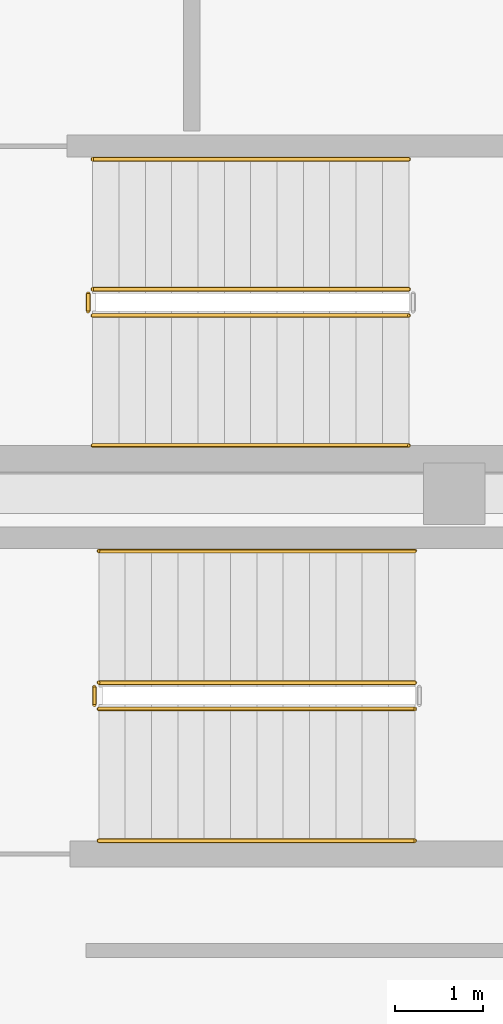
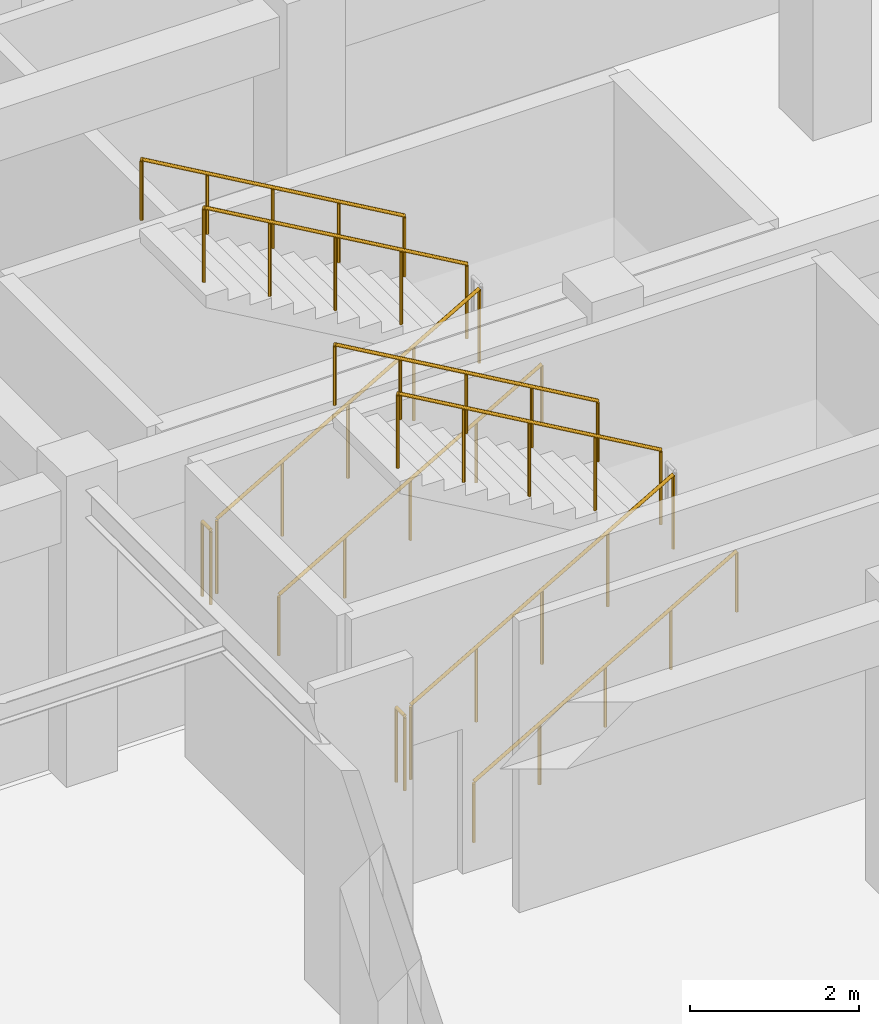
# One storey, part 102 of 106: 10 railings.
"""IFC4 building model written with IfcOpenShell, lengths in metres."""

import ifcopenshell
import ifcopenshell.guid

model = None  # the IFC model being written
_history = None  # IfcOwnerHistory: only IFC2X3 demands one
_inside = {}  # id of a spatial element -> (the spatial element, [elements in it])
_under = {}  # id of a project, library or spatial element -> (it, [spatial elements below it])
_declared = {}  # id of a project -> (the project, [libraries it declares])
_typed = {}  # id of a type object -> (the type object, [elements of that type])
_made_of = {}  # id of a material, layer set ... -> (it, [elements and type objects made of it])


def new_model(schema):
    """Start an empty IFC model of exactly this schema.

    Asked for "IFC4X3", IfcOpenShell would pick the latest addendum, in which some entities
    have other attributes; the version numbers below select the first issue.
    IFC2X3 requires an IfcOwnerHistory on every rooted entity: one is made here for all.
    """
    global model, _history
    if schema == "IFC4X3":
        model = ifcopenshell.file(schema_version=(4, 3, 0, 0))
    else:
        model = ifcopenshell.file(schema=schema)
    _inside.clear()
    _under.clear()
    _declared.clear()
    _typed.clear()
    _made_of.clear()
    _history = None
    if model.schema == "IFC2X3":
        org = make("IfcOrganization", Name="unknown")
        user = make(
            "IfcPersonAndOrganization",
            ThePerson=make("IfcPerson", FamilyName="unknown"),
            TheOrganization=org,
        )
        app = make(
            "IfcApplication",
            ApplicationDeveloper=org,
            Version="unknown",
            ApplicationFullName="unknown",
            ApplicationIdentifier="unknown",
        )
        _history = make(
            "IfcOwnerHistory",
            OwningUser=user,
            OwningApplication=app,
            ChangeAction="ADDED",
            CreationDate=0,
        )
    return model


def make(cls, **values):
    """One entity of the class cls with the attributes given. An attribute that is None is left unset."""
    return model.create_entity(
        cls, **{name: value for name, value in values.items() if value is not None}
    )


def rooted(cls, **values):
    """An entity with a GlobalId (a new one), such as an element, a storey or a relation."""
    return make(cls, GlobalId=ifcopenshell.guid.new(), OwnerHistory=_history, **values)


def si_unit(unit_type, name, prefix=None):
    """IfcSIUnit, for example si_unit("LENGTHUNIT", "METRE", prefix="MILLI")."""
    return make("IfcSIUnit", UnitType=unit_type, Prefix=prefix, Name=name)


def assignment(units):
    """IfcUnitAssignment: the units of a project."""
    return None if units is None else make("IfcUnitAssignment", Units=units)


def point(xyz):
    """IfcCartesianPoint."""
    return None if xyz is None else make("IfcCartesianPoint", Coordinates=xyz)


def direction(xyz):
    """IfcDirection."""
    return None if xyz is None else make("IfcDirection", DirectionRatios=xyz)


def frame(location, z_axis=None, x_axis=None):
    """IfcAxis2Placement3D, a coordinate frame: its origin and axes. An axis left out is left unset."""
    return make(
        "IfcAxis2Placement3D",
        Location=point(location),
        Axis=direction(z_axis),
        RefDirection=direction(x_axis),
    )


def frame_2d(location, x_axis=None):
    """IfcAxis2Placement2D, a coordinate frame in the plane: its origin and x axis."""
    return make(
        "IfcAxis2Placement2D", Location=point(location), RefDirection=direction(x_axis)
    )


def origin():
    """The frame at (0, 0, 0) with its axes left unset."""
    return frame((0.0, 0.0, 0.0))


def origin_2d():
    """The frame at (0, 0) in the plane with its x axis left unset."""
    return frame_2d((0.0, 0.0))


def place(relative_to, where):
    """IfcLocalPlacement: puts the frame where relative to a parent placement (None: the world)."""
    return make(
        "IfcLocalPlacement", PlacementRelTo=relative_to, RelativePlacement=where
    )


def context(
    kind, dimensions, precision=None, world=None, true_north=None, identifier=None
):
    """IfcGeometricRepresentationContext, for example the 3D "Model" context."""
    return make(
        "IfcGeometricRepresentationContext",
        ContextIdentifier=identifier,
        ContextType=kind,
        CoordinateSpaceDimension=dimensions,
        Precision=precision,
        WorldCoordinateSystem=world,
        TrueNorth=true_north,
    )


def subcontext(parent, identifier, kind, view, scale=None):
    """IfcGeometricRepresentationSubContext, for example "Body" below "Model"."""
    return make(
        "IfcGeometricRepresentationSubContext",
        ContextIdentifier=identifier,
        ContextType=kind,
        ParentContext=parent,
        TargetScale=scale,
        TargetView=view,
    )


def project(units=None, contexts=None):
    """IfcProject with its units and contexts."""
    return rooted(
        "IfcProject",
        Name="project",
        RepresentationContexts=contexts,
        UnitsInContext=assignment(units),
    )


def spatial(cls, under=None, at=None, **own):
    """A site, building, storey or space (cls), placed at a placement, below another one or the project."""
    s = rooted(cls, ObjectPlacement=at, **own)
    if under is not None:
        _under.setdefault(under.id(), (under, []))[1].append(s)
    return s


def profile(cls, at=None, kind="AREA", **sizes):
    """A parametric profile (cls). Its sizes go by their IFC names, for example OverallWidth=200.0."""
    return make(cls, ProfileType=kind, Position=at, **sizes)


def circle(**sizes):
    """IfcCircleProfileDef."""
    return profile("IfcCircleProfileDef", **sizes)


def extrude(swept, where, along, depth):
    """IfcExtrudedAreaSolid: the profile swept, set in the frame where, extruded along a direction by depth."""
    return make(
        "IfcExtrudedAreaSolid",
        SweptArea=swept,
        Position=where,
        ExtrudedDirection=direction(along),
        Depth=depth,
    )


def shape(context_of_items, identifier, shape_type, items):
    """IfcShapeRepresentation: the items that make up one representation, for example the "Body"."""
    return make(
        "IfcShapeRepresentation",
        ContextOfItems=context_of_items,
        RepresentationIdentifier=identifier,
        RepresentationType=shape_type,
        Items=items,
    )


def material(Name=None, Category=None):
    """IfcMaterial."""
    return make("IfcMaterial", Name=Name, Category=Category)


def layer(
    of_material, thickness, ventilated=None, Name=None, Category=None, Priority=None
):
    """IfcMaterialLayer: one layer of a wall or slab, of a material (None: an air gap)."""
    return make(
        "IfcMaterialLayer",
        Material=of_material,
        LayerThickness=thickness,
        IsVentilated=ventilated,
        Name=Name,
        Category=Category,
        Priority=Priority,
    )


def layer_set(layers, Name=None):
    """IfcMaterialLayerSet."""
    return make("IfcMaterialLayerSet", MaterialLayers=layers, LayerSetName=Name)


def made_of(thing, what):
    """Note that an element or type object is made of a material, layer set ...; save() writes the relation."""
    if what is not None:
        _made_of.setdefault(what.id(), (what, []))[1].append(thing)
    return thing


def type_object(cls, material=None, **own):
    """A type object (cls), such as IfcWallType, which elements share."""
    return made_of(rooted(cls, **own), material)


def element(
    cls,
    number,
    at=None,
    inside=None,
    cuts=None,
    type_object=None,
    material=None,
    context=None,
    identifier="Body",
    shape_type=None,
    held_by="IfcProductDefinitionShape",
    body=None,
    shapes=None,
    **own,
):
    """One element of the class cls, such as IfcWall. Its Tag is "e" and its number.

    at: its placement. inside: the storey or other place that contains it. cuts: it is an
    opening in that element (IfcRelVoidsElement). A single representation is given by context,
    identifier, shape_type and body (its items); several are given by shapes. held_by: the class
    of the entity that holds the representations. save() writes the other relations.
    """
    e = rooted(cls, Tag="e%d" % number, ObjectPlacement=at, **own)
    if body is not None:
        shapes = [shape(context, identifier, shape_type, body)]
    if shapes is not None:
        e.Representation = make(held_by, Representations=shapes)
    if inside is not None:
        _inside.setdefault(inside.id(), (inside, []))[1].append(e)
    if cuts is not None:
        rooted(
            "IfcRelVoidsElement", RelatingBuildingElement=cuts, RelatedOpeningElement=e
        )
    if type_object is not None:
        _typed.setdefault(type_object.id(), (type_object, []))[1].append(e)
    return made_of(e, material)


def aggregate(whole, parts):
    """IfcRelAggregates: a whole, such as a stair, and the parts it consists of."""
    return rooted("IfcRelAggregates", RelatingObject=whole, RelatedObjects=parts)


def save(model, path):
    """Write the relations noted so far, then the file.

    IfcRelAggregates (storeys below a building ...), IfcRelContainedInSpatialStructure (elements
    in a storey), IfcRelDefinesByType, IfcRelAssociatesMaterial and IfcRelDeclares: one each for
    every whole, place, type object, material and project.
    """
    for whole, parts in _under.values():
        aggregate(whole, parts)
    for where, things in _inside.values():
        rooted(
            "IfcRelContainedInSpatialStructure",
            RelatedElements=things,
            RelatingStructure=where,
        )
    for kind, things in _typed.values():
        rooted("IfcRelDefinesByType", RelatedObjects=things, RelatingType=kind)
    for what, things in _made_of.values():
        rooted("IfcRelAssociatesMaterial", RelatedObjects=things, RelatingMaterial=what)
    for by, libraries in _declared.values():
        rooted("IfcRelDeclares", RelatingContext=by, RelatedDefinitions=libraries)
    model.write(path)


model = new_model("IFC4")

# Units and contexts
model_context = context("Model", 3, precision=1e-05, world=origin(), true_north=direction((0.0, 1.0)))
body_context = subcontext(model_context, "Body", "Model", "MODEL_VIEW")
ifc_project = project(units=[si_unit("LENGTHUNIT", "METRE"), si_unit("AREAUNIT", "SQUARE_METRE"), si_unit("VOLUMEUNIT", "CUBIC_METRE"), si_unit("PLANEANGLEUNIT", "RADIAN"), si_unit("MASSUNIT", "GRAM", prefix="KILO")], contexts=[model_context])

# Site, building, storey
site_placement = place(None, origin())
site = spatial("IfcSite", under=ifc_project, at=site_placement, CompositionType="ELEMENT")
building_placement = place(site_placement, origin())
building = spatial("IfcBuilding", under=site, at=building_placement, Name="Carrowvane Square Congress Hotel", CompositionType="ELEMENT")
storey_placement = place(building_placement, frame((0.0, 0.0, 10.5)))
storey = spatial("IfcBuildingStorey", under=building, at=storey_placement, Name="L02", CompositionType="ELEMENT", Elevation=10.5)

# Railings
ifc_material_1 = material(Name="Stainless steel 316", Category="steel")
ifc_layer_1 = layer(ifc_material_1, 0.048095703125)
ifc_layer_set_1 = layer_set([ifc_layer_1], Name="Stainless steel 316")
railing_type_1 = type_object("IfcRailingType", Name="RLG-HR-900", PredefinedType="HANDRAIL", material=ifc_layer_set_1)
railing_1_placement = place(storey_placement, frame((137.14990234375, 87.85009765625, 0.173095703125)))
element("IfcRailing", 1, at=railing_1_placement, inside=storey, type_object=railing_type_1, Name="L02 ST8 stair handrail 1", PredefinedType="HANDRAIL", context=body_context, shape_type="SweptSolid", body=[
    extrude(circle(Radius=0.02392578125, at=origin_2d()), frame((0.0, 0.0, 0.8759765625), z_axis=(0.866193409371, 0.0, 0.499708892819), x_axis=(0.0, 1.0, 0.0)), (0.0, 0.0, 1.0), 4.15625),
    extrude(circle(Radius=0.02099609375, at=origin_2d()), origin(), (0.0, 0.0, 1.0), 0.851806640625),
    extrude(circle(Radius=0.02099609375, at=origin_2d()), frame((0.89990234375, 0.0, 0.519287109375)), (0.0, 0.0, 1.0), 0.851806640625),
    extrude(circle(Radius=0.02099609375, at=origin_2d()), frame((1.800048828125, 0.0, 1.03857421875)), (0.0, 0.0, 1.0), 0.851806640625),
    extrude(circle(Radius=0.02099609375, at=origin_2d()), frame((2.7001953125, 0.0, 1.5576171875)), (0.0, 0.0, 1.0), 0.851806640625),
    extrude(circle(Radius=0.02099609375, at=origin_2d()), frame((3.60009765625, 0.0, 2.076904296875)), (0.0, 0.0, 1.0), 0.851806640625),
])
railing_2_placement = place(storey_placement, frame((140.75, 91.14990234375, 2.423095703125)))
element("IfcRailing", 2, at=railing_2_placement, inside=storey, type_object=railing_type_1, Name="L02 ST8 stair handrail 2", PredefinedType="HANDRAIL", context=body_context, shape_type="SweptSolid", body=[
    extrude(circle(Radius=0.02392578125, at=origin_2d()), frame((0.0, 0.0, 0.8759765625), z_axis=(-0.866193409371, 0.0, 0.499708892819), x_axis=(0.0, -1.0, 0.0)), (0.0, 0.0, 1.0), 4.15625),
    extrude(circle(Radius=0.02099609375, at=origin_2d()), origin(), (0.0, 0.0, 1.0), 0.851806640625),
    extrude(circle(Radius=0.02099609375, at=origin_2d()), frame((-0.89990234375, 0.0, 0.519287109375)), (0.0, 0.0, 1.0), 0.851806640625),
    extrude(circle(Radius=0.02099609375, at=origin_2d()), frame((-1.800048828125, 0.0, 1.03857421875)), (0.0, 0.0, 1.0), 0.851806640625),
    extrude(circle(Radius=0.02099609375, at=origin_2d()), frame((-2.7001953125, 0.0, 1.5576171875)), (0.0, 0.0, 1.0), 0.851806640625),
    extrude(circle(Radius=0.02099609375, at=origin_2d()), frame((-3.60009765625, 0.0, 2.076904296875)), (0.0, 0.0, 1.0), 0.851806640625),
])
railing_3_placement = place(storey_placement, frame((137.080078125, 92.35009765625, 0.173095703125)))
element("IfcRailing", 3, at=railing_3_placement, inside=storey, type_object=railing_type_1, Name="L02 ST12 stair handrail 1", PredefinedType="HANDRAIL", context=body_context, shape_type="SweptSolid", body=[
    extrude(circle(Radius=0.02392578125, at=origin_2d()), frame((0.0, 0.0, 0.8759765625), z_axis=(0.866178740119, 0.0, 0.499734319579), x_axis=(0.0, 1.0, 0.0)), (0.0, 0.0, 1.0), 4.156005859375),
    extrude(circle(Radius=0.02099609375, at=origin_2d()), origin(), (0.0, 0.0, 1.0), 0.851806640625),
    extrude(circle(Radius=0.02099609375, at=origin_2d()), frame((0.89990234375, 0.0, 0.519287109375)), (0.0, 0.0, 1.0), 0.851806640625),
    extrude(circle(Radius=0.02099609375, at=origin_2d()), frame((1.7998046875, 0.0, 1.03857421875)), (0.0, 0.0, 1.0), 0.851806640625),
    extrude(circle(Radius=0.02099609375, at=origin_2d()), frame((2.699951171875, 0.0, 1.5576171875)), (0.0, 0.0, 1.0), 0.851806640625),
    extrude(circle(Radius=0.02099609375, at=origin_2d()), frame((3.599853515625, 0.0, 2.076904296875)), (0.0, 0.0, 1.0), 0.851806640625),
])
railing_4_placement = place(storey_placement, frame((140.679931640625, 95.610107421875, 2.423095703125)))
element("IfcRailing", 4, at=railing_4_placement, inside=storey, type_object=railing_type_1, Name="L02 ST12 stair handrail 2", PredefinedType="HANDRAIL", context=body_context, shape_type="SweptSolid", body=[
    extrude(circle(Radius=0.02392578125, at=origin_2d()), frame((0.0, 0.0, 0.8759765625), z_axis=(-0.866178740119, 0.0, 0.499734319579), x_axis=(0.0, -1.0, 0.0)), (0.0, 0.0, 1.0), 4.156005859375),
    extrude(circle(Radius=0.02099609375, at=origin_2d()), origin(), (0.0, 0.0, 1.0), 0.851806640625),
    extrude(circle(Radius=0.02099609375, at=origin_2d()), frame((-0.89990234375, 0.0, 0.519287109375)), (0.0, 0.0, 1.0), 0.851806640625),
    extrude(circle(Radius=0.02099609375, at=origin_2d()), frame((-1.7998046875, 0.0, 1.03857421875)), (0.0, 0.0, 1.0), 0.851806640625),
    extrude(circle(Radius=0.02099609375, at=origin_2d()), frame((-2.699951171875, 0.0, 1.5576171875)), (0.0, 0.0, 1.0), 0.851806640625),
    extrude(circle(Radius=0.02099609375, at=origin_2d()), frame((-3.599853515625, 0.0, 2.076904296875)), (0.0, 0.0, 1.0), 0.851806640625),
])
ifc_material_2 = material(Name="Galvanised steel", Category="steel")
ifc_layer_2 = layer(ifc_material_2, 0.048095703125)
ifc_layer_set_2 = layer_set([ifc_layer_2], Name="Galvanised steel")
railing_type_2 = type_object("IfcRailingType", Name="RLG-STG-1100", PredefinedType="GUARDRAIL", material=ifc_layer_set_2)
railing_5_placement = place(storey_placement, frame((137.14990234375, 89.35009765625, 0.173095703125)))
element("IfcRailing", 5, at=railing_5_placement, inside=storey, type_object=railing_type_2, Name="L02 ST8 stair guard 1", PredefinedType="GUARDRAIL", context=body_context, shape_type="SweptSolid", body=[
    extrude(circle(Radius=0.02392578125, at=origin_2d()), frame((0.0, 0.0, 1.076171875), z_axis=(0.866193409371, 0.0, 0.499708892819), x_axis=(0.0, 1.0, 0.0)), (0.0, 0.0, 1.0), 4.15625),
    extrude(circle(Radius=0.02099609375, at=origin_2d()), origin(), (0.0, 0.0, 1.0), 1.052001953125),
    extrude(circle(Radius=0.02099609375, at=origin_2d()), frame((0.89990234375, 0.0, 0.519287109375)), (0.0, 0.0, 1.0), 1.052001953125),
    extrude(circle(Radius=0.02099609375, at=origin_2d()), frame((1.800048828125, 0.0, 1.03857421875)), (0.0, 0.0, 1.0), 1.052001953125),
    extrude(circle(Radius=0.02099609375, at=origin_2d()), frame((2.7001953125, 0.0, 1.5576171875)), (0.0, 0.0, 1.0), 1.052001953125),
    extrude(circle(Radius=0.02099609375, at=origin_2d()), frame((3.60009765625, 0.0, 2.076904296875)), (0.0, 0.0, 1.0), 1.052001953125),
])
railing_6_placement = place(storey_placement, frame((140.75, 89.64990234375, 2.423095703125)))
element("IfcRailing", 6, at=railing_6_placement, inside=storey, type_object=railing_type_2, Name="L02 ST8 stair guard 3", PredefinedType="GUARDRAIL", context=body_context, shape_type="SweptSolid", body=[
    extrude(circle(Radius=0.02392578125, at=origin_2d()), frame((0.0, 0.0, 1.076171875), z_axis=(-0.866193409371, 0.0, 0.499708892819), x_axis=(0.0, -1.0, 0.0)), (0.0, 0.0, 1.0), 4.15625),
    extrude(circle(Radius=0.02099609375, at=origin_2d()), origin(), (0.0, 0.0, 1.0), 1.052001953125),
    extrude(circle(Radius=0.02099609375, at=origin_2d()), frame((-0.89990234375, 0.0, 0.519287109375)), (0.0, 0.0, 1.0), 1.052001953125),
    extrude(circle(Radius=0.02099609375, at=origin_2d()), frame((-1.800048828125, 0.0, 1.03857421875)), (0.0, 0.0, 1.0), 1.052001953125),
    extrude(circle(Radius=0.02099609375, at=origin_2d()), frame((-2.7001953125, 0.0, 1.5576171875)), (0.0, 0.0, 1.0), 1.052001953125),
    extrude(circle(Radius=0.02099609375, at=origin_2d()), frame((-3.60009765625, 0.0, 2.076904296875)), (0.0, 0.0, 1.0), 1.052001953125),
])
railing_7_placement = place(storey_placement, frame((137.10009765625, 89.39990234375, 0.0)))
element("IfcRailing", 7, at=railing_7_placement, inside=storey, type_object=railing_type_2, Name="L02 ST8 stair guard 4", PredefinedType="GUARDRAIL", context=body_context, shape_type="SweptSolid", body=[
    extrude(circle(Radius=0.02392578125, at=origin_2d()), frame((0.0, 0.0, 1.076171875), z_axis=(0.0, 1.0, 0.0), x_axis=(-1.0, 0.0, 0.0)), (0.0, 0.0, 1.0), 0.2001953125),
    extrude(circle(Radius=0.02099609375, at=origin_2d()), origin(), (0.0, 0.0, 1.0), 1.052001953125),
    extrude(circle(Radius=0.02099609375, at=origin_2d()), frame((0.0, 0.2001953125, 0.0)), (0.0, 0.0, 1.0), 1.052001953125),
])
railing_8_placement = place(storey_placement, frame((137.080078125, 93.830078125, 0.173095703125)))
element("IfcRailing", 8, at=railing_8_placement, inside=storey, type_object=railing_type_2, Name="L02 ST12 stair guard 1", PredefinedType="GUARDRAIL", context=body_context, shape_type="SweptSolid", body=[
    extrude(circle(Radius=0.02392578125, at=origin_2d()), frame((0.0, 0.0, 1.076171875), z_axis=(0.866178740119, 0.0, 0.499734319579), x_axis=(0.0, 1.0, 0.0)), (0.0, 0.0, 1.0), 4.156005859375),
    extrude(circle(Radius=0.02099609375, at=origin_2d()), origin(), (0.0, 0.0, 1.0), 1.052001953125),
    extrude(circle(Radius=0.02099609375, at=origin_2d()), frame((0.89990234375, 0.0, 0.519287109375)), (0.0, 0.0, 1.0), 1.052001953125),
    extrude(circle(Radius=0.02099609375, at=origin_2d()), frame((1.7998046875, 0.0, 1.03857421875)), (0.0, 0.0, 1.0), 1.052001953125),
    extrude(circle(Radius=0.02099609375, at=origin_2d()), frame((2.699951171875, 0.0, 1.5576171875)), (0.0, 0.0, 1.0), 1.052001953125),
    extrude(circle(Radius=0.02099609375, at=origin_2d()), frame((3.599853515625, 0.0, 2.076904296875)), (0.0, 0.0, 1.0), 1.052001953125),
])
railing_9_placement = place(storey_placement, frame((140.679931640625, 94.1298828125, 2.423095703125)))
element("IfcRailing", 9, at=railing_9_placement, inside=storey, type_object=railing_type_2, Name="L02 ST12 stair guard 3", PredefinedType="GUARDRAIL", context=body_context, shape_type="SweptSolid", body=[
    extrude(circle(Radius=0.02392578125, at=origin_2d()), frame((0.0, 0.0, 1.076171875), z_axis=(-0.866178740119, 0.0, 0.499734319579), x_axis=(0.0, -1.0, 0.0)), (0.0, 0.0, 1.0), 4.156005859375),
    extrude(circle(Radius=0.02099609375, at=origin_2d()), origin(), (0.0, 0.0, 1.0), 1.052001953125),
    extrude(circle(Radius=0.02099609375, at=origin_2d()), frame((-0.89990234375, 0.0, 0.519287109375)), (0.0, 0.0, 1.0), 1.052001953125),
    extrude(circle(Radius=0.02099609375, at=origin_2d()), frame((-1.7998046875, 0.0, 1.03857421875)), (0.0, 0.0, 1.0), 1.052001953125),
    extrude(circle(Radius=0.02099609375, at=origin_2d()), frame((-2.699951171875, 0.0, 1.5576171875)), (0.0, 0.0, 1.0), 1.052001953125),
    extrude(circle(Radius=0.02099609375, at=origin_2d()), frame((-3.599853515625, 0.0, 2.076904296875)), (0.0, 0.0, 1.0), 1.052001953125),
])
railing_10_placement = place(storey_placement, frame((137.030029296875, 93.8798828125, 0.0)))
element("IfcRailing", 10, at=railing_10_placement, inside=storey, type_object=railing_type_2, Name="L02 ST12 stair guard 4", PredefinedType="GUARDRAIL", context=body_context, shape_type="SweptSolid", body=[
    extrude(circle(Radius=0.02392578125, at=origin_2d()), frame((0.0, 0.0, 1.076171875), z_axis=(0.0, 1.0, 0.0), x_axis=(-1.0, 0.0, 0.0)), (0.0, 0.0, 1.0), 0.2001953125),
    extrude(circle(Radius=0.02099609375, at=origin_2d()), origin(), (0.0, 0.0, 1.0), 1.052001953125),
    extrude(circle(Radius=0.02099609375, at=origin_2d()), frame((0.0, 0.2001953125, 0.0)), (0.0, 0.0, 1.0), 1.052001953125),
])

save(model, "model.ifc")
